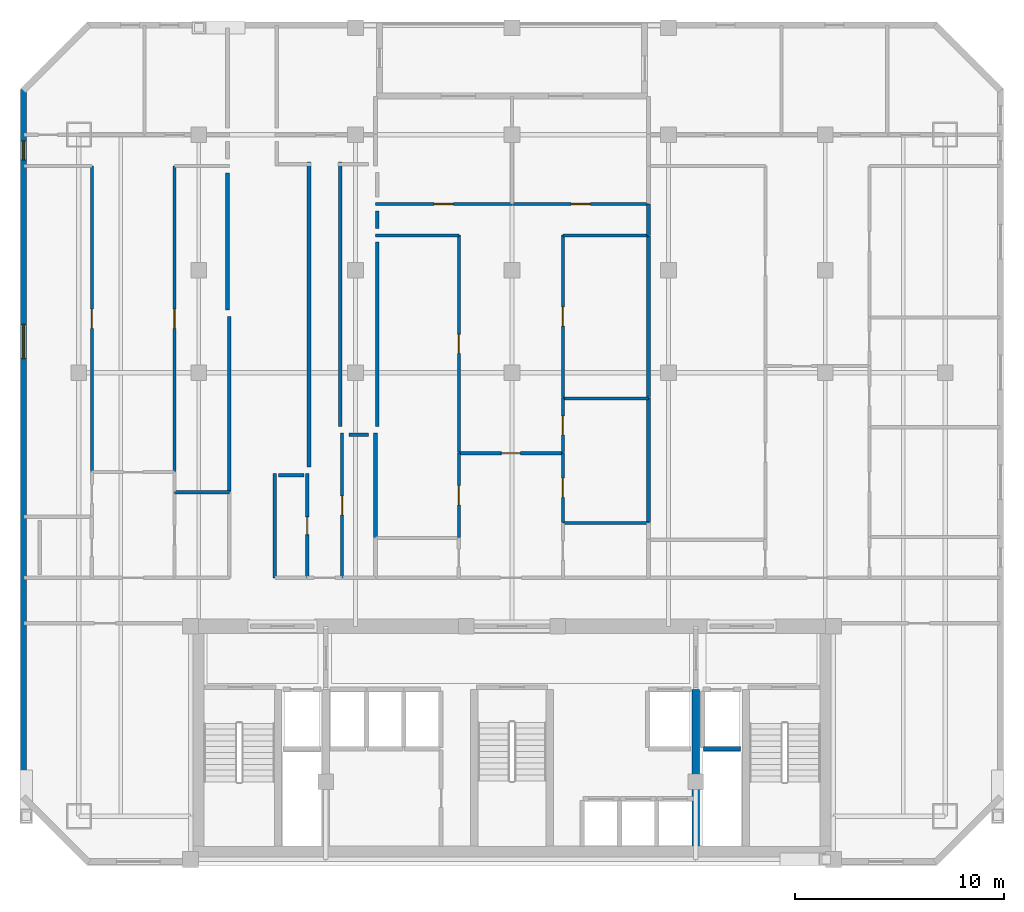
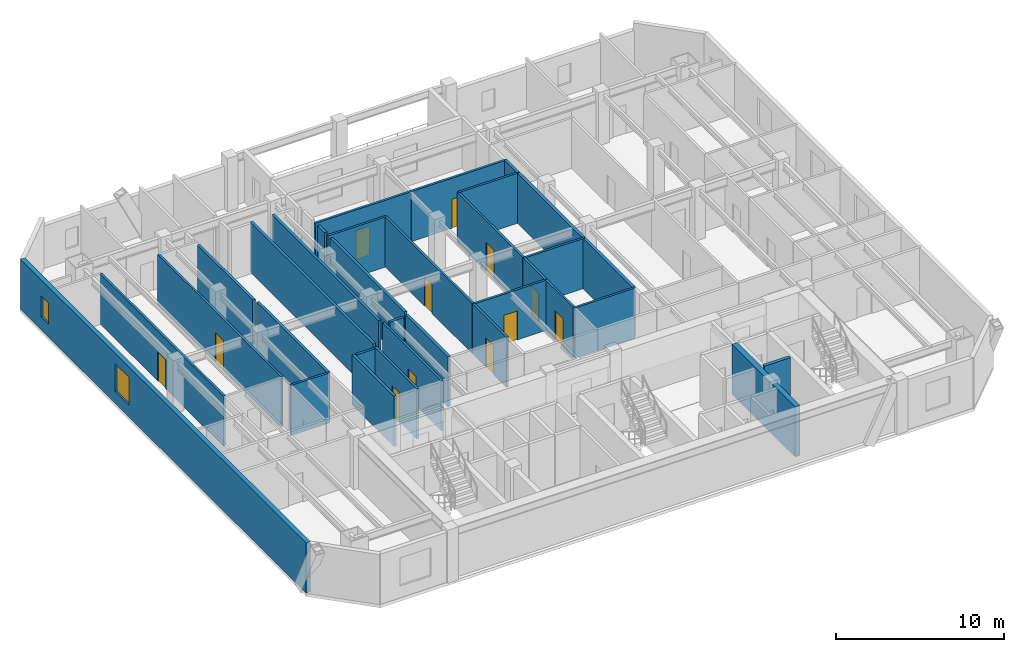
# One storey, part 4 of 8: 33 walls, 12 doors, 2 windows, 14 openings.
"""IFC4 building model written with IfcOpenShell, lengths in metres."""

import ifcopenshell
import ifcopenshell.guid

model = None  # the IFC model being written
_history = None  # IfcOwnerHistory: only IFC2X3 demands one
_inside = {}  # id of a spatial element -> (the spatial element, [elements in it])
_under = {}  # id of a project, library or spatial element -> (it, [spatial elements below it])
_declared = {}  # id of a project -> (the project, [libraries it declares])
_typed = {}  # id of a type object -> (the type object, [elements of that type])
_made_of = {}  # id of a material, layer set ... -> (it, [elements and type objects made of it])


def new_model(schema):
    """Start an empty IFC model of exactly this schema.

    Asked for "IFC4X3", IfcOpenShell would pick the latest addendum, in which some entities
    have other attributes; the version numbers below select the first issue.
    IFC2X3 requires an IfcOwnerHistory on every rooted entity: one is made here for all.
    """
    global model, _history
    if schema == "IFC4X3":
        model = ifcopenshell.file(schema_version=(4, 3, 0, 0))
    else:
        model = ifcopenshell.file(schema=schema)
    _inside.clear()
    _under.clear()
    _declared.clear()
    _typed.clear()
    _made_of.clear()
    _history = None
    if model.schema == "IFC2X3":
        org = make("IfcOrganization", Name="unknown")
        user = make(
            "IfcPersonAndOrganization",
            ThePerson=make("IfcPerson", FamilyName="unknown"),
            TheOrganization=org,
        )
        app = make(
            "IfcApplication",
            ApplicationDeveloper=org,
            Version="unknown",
            ApplicationFullName="unknown",
            ApplicationIdentifier="unknown",
        )
        _history = make(
            "IfcOwnerHistory",
            OwningUser=user,
            OwningApplication=app,
            ChangeAction="ADDED",
            CreationDate=0,
        )
    return model


def make(cls, **values):
    """One entity of the class cls with the attributes given. An attribute that is None is left unset."""
    return model.create_entity(
        cls, **{name: value for name, value in values.items() if value is not None}
    )


def rooted(cls, **values):
    """An entity with a GlobalId (a new one), such as an element, a storey or a relation."""
    return make(cls, GlobalId=ifcopenshell.guid.new(), OwnerHistory=_history, **values)


def si_unit(unit_type, name, prefix=None):
    """IfcSIUnit, for example si_unit("LENGTHUNIT", "METRE", prefix="MILLI")."""
    return make("IfcSIUnit", UnitType=unit_type, Prefix=prefix, Name=name)


def assignment(units):
    """IfcUnitAssignment: the units of a project."""
    return None if units is None else make("IfcUnitAssignment", Units=units)


def point(xyz):
    """IfcCartesianPoint."""
    return None if xyz is None else make("IfcCartesianPoint", Coordinates=xyz)


def direction(xyz):
    """IfcDirection."""
    return None if xyz is None else make("IfcDirection", DirectionRatios=xyz)


def frame(location, z_axis=None, x_axis=None):
    """IfcAxis2Placement3D, a coordinate frame: its origin and axes. An axis left out is left unset."""
    return make(
        "IfcAxis2Placement3D",
        Location=point(location),
        Axis=direction(z_axis),
        RefDirection=direction(x_axis),
    )


def frame_2d(location, x_axis=None):
    """IfcAxis2Placement2D, a coordinate frame in the plane: its origin and x axis."""
    return make(
        "IfcAxis2Placement2D", Location=point(location), RefDirection=direction(x_axis)
    )


def origin():
    """The frame at (0, 0, 0) with its axes left unset."""
    return frame((0.0, 0.0, 0.0))


def place(relative_to, where):
    """IfcLocalPlacement: puts the frame where relative to a parent placement (None: the world)."""
    return make(
        "IfcLocalPlacement", PlacementRelTo=relative_to, RelativePlacement=where
    )


def context(
    kind, dimensions, precision=None, world=None, true_north=None, identifier=None
):
    """IfcGeometricRepresentationContext, for example the 3D "Model" context."""
    return make(
        "IfcGeometricRepresentationContext",
        ContextIdentifier=identifier,
        ContextType=kind,
        CoordinateSpaceDimension=dimensions,
        Precision=precision,
        WorldCoordinateSystem=world,
        TrueNorth=true_north,
    )


def subcontext(parent, identifier, kind, view, scale=None):
    """IfcGeometricRepresentationSubContext, for example "Body" below "Model"."""
    return make(
        "IfcGeometricRepresentationSubContext",
        ContextIdentifier=identifier,
        ContextType=kind,
        ParentContext=parent,
        TargetScale=scale,
        TargetView=view,
    )


def project(units=None, contexts=None):
    """IfcProject with its units and contexts."""
    return rooted(
        "IfcProject",
        Name="project",
        RepresentationContexts=contexts,
        UnitsInContext=assignment(units),
    )


def spatial(cls, under=None, at=None, **own):
    """A site, building, storey or space (cls), placed at a placement, below another one or the project."""
    s = rooted(cls, ObjectPlacement=at, **own)
    if under is not None:
        _under.setdefault(under.id(), (under, []))[1].append(s)
    return s


def profile(cls, at=None, kind="AREA", **sizes):
    """A parametric profile (cls). Its sizes go by their IFC names, for example OverallWidth=200.0."""
    return make(cls, ProfileType=kind, Position=at, **sizes)


def rectangle(**sizes):
    """IfcRectangleProfileDef."""
    return profile("IfcRectangleProfileDef", **sizes)


def extrude(swept, where, along, depth):
    """IfcExtrudedAreaSolid: the profile swept, set in the frame where, extruded along a direction by depth."""
    return make(
        "IfcExtrudedAreaSolid",
        SweptArea=swept,
        Position=where,
        ExtrudedDirection=direction(along),
        Depth=depth,
    )


def shape(context_of_items, identifier, shape_type, items):
    """IfcShapeRepresentation: the items that make up one representation, for example the "Body"."""
    return make(
        "IfcShapeRepresentation",
        ContextOfItems=context_of_items,
        RepresentationIdentifier=identifier,
        RepresentationType=shape_type,
        Items=items,
    )


def material(Name=None, Category=None):
    """IfcMaterial."""
    return make("IfcMaterial", Name=Name, Category=Category)


def layer(
    of_material, thickness, ventilated=None, Name=None, Category=None, Priority=None
):
    """IfcMaterialLayer: one layer of a wall or slab, of a material (None: an air gap)."""
    return make(
        "IfcMaterialLayer",
        Material=of_material,
        LayerThickness=thickness,
        IsVentilated=ventilated,
        Name=Name,
        Category=Category,
        Priority=Priority,
    )


def layer_set(layers, Name=None):
    """IfcMaterialLayerSet."""
    return make("IfcMaterialLayerSet", MaterialLayers=layers, LayerSetName=Name)


def made_of(thing, what):
    """Note that an element or type object is made of a material, layer set ...; save() writes the relation."""
    if what is not None:
        _made_of.setdefault(what.id(), (what, []))[1].append(thing)
    return thing


def type_object(cls, material=None, **own):
    """A type object (cls), such as IfcWallType, which elements share."""
    return made_of(rooted(cls, **own), material)


def element(
    cls,
    number,
    at=None,
    inside=None,
    cuts=None,
    type_object=None,
    material=None,
    context=None,
    identifier="Body",
    shape_type=None,
    held_by="IfcProductDefinitionShape",
    body=None,
    shapes=None,
    **own,
):
    """One element of the class cls, such as IfcWall. Its Tag is "e" and its number.

    at: its placement. inside: the storey or other place that contains it. cuts: it is an
    opening in that element (IfcRelVoidsElement). A single representation is given by context,
    identifier, shape_type and body (its items); several are given by shapes. held_by: the class
    of the entity that holds the representations. save() writes the other relations.
    """
    e = rooted(cls, Tag="e%d" % number, ObjectPlacement=at, **own)
    if body is not None:
        shapes = [shape(context, identifier, shape_type, body)]
    if shapes is not None:
        e.Representation = make(held_by, Representations=shapes)
    if inside is not None:
        _inside.setdefault(inside.id(), (inside, []))[1].append(e)
    if cuts is not None:
        rooted(
            "IfcRelVoidsElement", RelatingBuildingElement=cuts, RelatedOpeningElement=e
        )
    if type_object is not None:
        _typed.setdefault(type_object.id(), (type_object, []))[1].append(e)
    return made_of(e, material)


def fill(opening, filler):
    """IfcRelFillsElement: the door or window that sits in an opening."""
    return rooted(
        "IfcRelFillsElement",
        RelatingOpeningElement=opening,
        RelatedBuildingElement=filler,
    )


def aggregate(whole, parts):
    """IfcRelAggregates: a whole, such as a stair, and the parts it consists of."""
    return rooted("IfcRelAggregates", RelatingObject=whole, RelatedObjects=parts)


def save(model, path):
    """Write the relations noted so far, then the file.

    IfcRelAggregates (storeys below a building ...), IfcRelContainedInSpatialStructure (elements
    in a storey), IfcRelDefinesByType, IfcRelAssociatesMaterial and IfcRelDeclares: one each for
    every whole, place, type object, material and project.
    """
    for whole, parts in _under.values():
        aggregate(whole, parts)
    for where, things in _inside.values():
        rooted(
            "IfcRelContainedInSpatialStructure",
            RelatedElements=things,
            RelatingStructure=where,
        )
    for kind, things in _typed.values():
        rooted("IfcRelDefinesByType", RelatedObjects=things, RelatingType=kind)
    for what, things in _made_of.values():
        rooted("IfcRelAssociatesMaterial", RelatedObjects=things, RelatingMaterial=what)
    for by, libraries in _declared.values():
        rooted("IfcRelDeclares", RelatingContext=by, RelatedDefinitions=libraries)
    model.write(path)


model = new_model("IFC4")

# Units and contexts
model_context = context("Model", 3, precision=1e-05, world=origin(), true_north=direction((0.0, 1.0)))
body_context = subcontext(model_context, "Body", "Model", "MODEL_VIEW")
ifc_project = project(units=[si_unit("LENGTHUNIT", "METRE"), si_unit("AREAUNIT", "SQUARE_METRE"), si_unit("VOLUMEUNIT", "CUBIC_METRE"), si_unit("PLANEANGLEUNIT", "RADIAN"), si_unit("MASSUNIT", "GRAM", prefix="KILO")], contexts=[model_context])

# Site, building, storey
site_placement = place(None, origin())
site = spatial("IfcSite", under=ifc_project, at=site_placement, CompositionType="ELEMENT")
building_placement = place(site_placement, origin())
building = spatial("IfcBuilding", under=site, at=building_placement, Name="Ventersveld Concourse Tower", CompositionType="ELEMENT")
storey_placement = place(building_placement, frame((0.0, 0.0, 183.699951171875)))
storey = spatial("IfcBuildingStorey", under=building, at=storey_placement, Name="L45", CompositionType="ELEMENT", Elevation=183.699951171875)

# Walls
ifc_material_1 = material(Name="Concrete C60/75", Category="concrete")
ifc_layer_1 = layer(ifc_material_1, 0.35009765625)
ifc_layer_set_1 = layer_set([ifc_layer_1], Name="Concrete C60/75")
wall_type_1 = type_object("IfcWallType", Name="WL-CORE-350L", PredefinedType="SHEAR", material=ifc_layer_set_1)
wall_1_placement = place(storey_placement, frame((37.550048828125, 0.919921875, 0.0), z_axis=(0.0, 0.0, 1.0), x_axis=(0.0, 1.0, 0.0)))
element("IfcWall", 1, at=wall_1_placement, inside=storey, type_object=wall_type_1, Name="L45 Core Internal Shear Web W-SVL-W", PredefinedType="SHEAR", context=body_context, shape_type="SweptSolid", body=[
    extrude(rectangle(XDim=7.5, YDim=0.35009765625, at=frame_2d((3.75, 0.0))), origin(), (0.0, 0.0, 1.0), 3.630126953125),
])
ifc_material_2 = material(Name="Fire-rated autoclaved aerated masonry blockwork", Category="masonry")
ifc_layer_2 = layer(ifc_material_2, 0.179931640625)
ifc_layer_set_2 = layer_set([ifc_layer_2], Name="Fire-rated autoclaved aerated masonry blockwork")
wall_type_2 = type_object("IfcWallType", Name="WL-CORR-180", PredefinedType="PARTITIONING", material=ifc_layer_set_2)
wall_2_placement = place(storey_placement, frame((15.2099609375, 17.905517578125, 0.0), z_axis=(0.0, 0.0, 1.0), x_axis=(0.0, 1.0, 0.0)))
element("IfcWall", 2, at=wall_2_placement, inside=storey, type_object=wall_type_2, Name="L45 Interior Partition SP-L45-COR-SP-L45-45NW-DENR", PredefinedType="PARTITIONING", context=body_context, shape_type="SweptSolid", body=[
    extrude(rectangle(XDim=8.389404296875, YDim=0.179931640625, at=frame_2d((4.19482421875, 0.0))), origin(), (0.0, 0.0, 1.0), 3.630126953125),
])
wall_3_placement = place(storey_placement, frame((17.389892578125, 13.764892578125, 0.0), z_axis=(0.0, 0.0, 1.0), x_axis=(0.0, 1.0, 0.0)))
element("IfcWall", 3, at=wall_3_placement, inside=storey, type_object=wall_type_2, Name="L45 Interior Partition SP-L45-COR-SP-L45-45CW-BATH", PredefinedType="PARTITIONING", context=body_context, shape_type="SweptSolid", body=[
    extrude(rectangle(XDim=5.007568359375, YDim=0.179931640625, at=frame_2d((2.50390625, 0.0))), origin(), (0.0, 0.0, 1.0), 3.630126953125),
])
wall_4_placement = place(storey_placement, frame((15.1201171875, 33.175048828125, 0.0), z_axis=(0.0, 0.0, 1.0), x_axis=(0.0, -1.0, 0.0)))
element("IfcWall", 4, at=wall_4_placement, inside=storey, type_object=wall_type_2, Name="L45 Room Enclosure Wall SP-L45-45NW-DENR", PredefinedType="PARTITIONING", context=body_context, shape_type="SweptSolid", body=[
    extrude(rectangle(XDim=6.565185546875, YDim=0.179931640625, at=frame_2d((3.28271484375, 0.0))), origin(), (0.0, 0.0, 1.0), 3.630126953125),
])
wall_5_placement = place(storey_placement, frame((19.030029296875, 19.08740234375, 0.0), z_axis=(0.0, 0.0, 1.0), x_axis=(0.0, 1.0, 0.0)))
element("IfcWall", 5, at=wall_5_placement, inside=storey, type_object=wall_type_2, Name="L45 Room Enclosure Wall SP-L45-45CW-LIV", PredefinedType="PARTITIONING", context=body_context, shape_type="SweptSolid", body=[
    extrude(rectangle(XDim=14.59765625, YDim=0.179931640625, at=frame_2d((7.298828125, 0.0))), origin(), (0.0, 0.0, 1.0), 3.630126953125),
])
wall_6_placement = place(storey_placement, frame((20.52001953125, 33.68505859375, 0.0), z_axis=(0.0, 0.0, 1.0), x_axis=(0.0, -1.0, 0.0)))
element("IfcWall", 6, at=wall_6_placement, inside=storey, type_object=wall_type_2, Name="L45 Room Enclosure Wall SP-L45-45CW-LIV", PredefinedType="PARTITIONING", context=body_context, shape_type="SweptSolid", body=[
    extrude(rectangle(XDim=12.654541015625, YDim=0.179931640625, at=frame_2d((6.3271484375, 0.0))), origin(), (0.0, 0.0, 1.0), 3.630126953125),
])
wall_7_placement = place(storey_placement, frame((20.93505859375, 20.62060546875, 0.0), z_axis=(0.0, 0.0, 1.0), x_axis=(1.0, 0.0, 0.0)))
element("IfcWall", 7, at=wall_7_placement, inside=storey, type_object=wall_type_2, Name="L45 Room Enclosure Wall SP-L45-45CW-KIT", PredefinedType="PARTITIONING", context=body_context, shape_type="SweptSolid", body=[
    extrude(rectangle(XDim=0.949951171875, YDim=0.179931640625, at=frame_2d((0.47509765625, 0.0))), origin(), (0.0, 0.0, 1.0), 3.630126953125),
])
wall_8_placement = place(storey_placement, frame((22.300048828125, 30.5048828125, 0.0), z_axis=(0.0, 0.0, 1.0), x_axis=(0.0, 1.0, 0.0)))
element("IfcWall", 8, at=wall_8_placement, inside=storey, type_object=wall_type_2, Name="L45 Room Enclosure Wall SP-L45-45CM-LIV", PredefinedType="PARTITIONING", context=body_context, shape_type="SweptSolid", body=[
    extrude(rectangle(XDim=0.85009765625, YDim=0.179931640625, at=frame_2d((0.425048828125, 0.0))), origin(), (0.0, 0.0, 1.0), 3.630126953125),
])
wall_9_placement = place(storey_placement, frame((22.300048828125, 21.030517578125, 0.0), z_axis=(0.0, 0.0, 1.0), x_axis=(0.0, 1.0, 0.0)))
element("IfcWall", 9, at=wall_9_placement, inside=storey, type_object=wall_type_2, Name="L45 Room Enclosure Wall SP-L45-45CM-DENL", PredefinedType="PARTITIONING", context=body_context, shape_type="SweptSolid", body=[
    extrude(rectangle(XDim=8.824462890625, YDim=0.179931640625, at=frame_2d((4.412109375, 0.0))), origin(), (0.0, 0.0, 1.0), 3.630126953125),
])
ifc_layer_3 = layer(ifc_material_2, 0.199951171875)
ifc_layer_set_3 = layer_set([ifc_layer_3], Name="Fire-rated autoclaved aerated masonry blockwork")
wall_type_3 = type_object("IfcWallType", Name="WL-DEMISE-200", PredefinedType="PARTITIONING", material=ifc_layer_set_3)
wall_10_placement = place(storey_placement, frame((22.2099609375, 15.71435546875, 0.0), z_axis=(0.0, 0.0, 1.0), x_axis=(0.0, 1.0, 0.0)))
element("IfcWall", 10, at=wall_10_placement, inside=storey, type_object=wall_type_3, Name="L45 Interior Partition SP-L45-45CW-KIT-SP-L45-45CM-DENL", PredefinedType="PARTITIONING", context=body_context, shape_type="SweptSolid", body=[
    extrude(rectangle(XDim=5.001220703125, YDim=0.199951171875, at=frame_2d((2.50048828125, 0.0))), origin(), (0.0, 0.0, 1.0), 3.630126953125),
])
wall_11_placement = place(storey_placement, frame((35.2900390625, 30.175048828125, 0.0), z_axis=(0.0, 0.0, 1.0), x_axis=(0.0, 1.0, 0.0)))
element("IfcWall", 11, at=wall_11_placement, inside=storey, type_object=wall_type_3, Name="L45 Interior Partition SP-L45-45CE-MEDL0-SP-L45-45CM-LIV", PredefinedType="PARTITIONING", context=body_context, shape_type="SweptSolid", body=[
    extrude(rectangle(XDim=1.510009765625, YDim=0.199951171875, at=frame_2d((0.7548828125, 0.0))), origin(), (0.0, 0.0, 1.0), 3.630126953125),
])
wall_12_placement = place(storey_placement, frame((35.2900390625, 16.431640625, 0.0), z_axis=(0.0, 0.0, 1.0), x_axis=(0.0, 1.0, 0.0)))
element("IfcWall", 12, at=wall_12_placement, inside=storey, type_object=wall_type_3, Name="L45 Interior Partition SP-L45-45CE-MEDL0-SP-L45-45CM-DENR", PredefinedType="PARTITIONING", context=body_context, shape_type="SweptSolid", body=[
    extrude(rectangle(XDim=5.943359375, YDim=0.199951171875, at=frame_2d((2.9716796875, 0.0))), origin(), (0.0, 0.0, 1.0), 3.630126953125),
])
wall_13_placement = place(storey_placement, frame((35.2900390625, 22.405029296875, 0.0), z_axis=(0.0, 0.0, 1.0), x_axis=(0.0, 1.0, 0.0)))
element("IfcWall", 13, at=wall_13_placement, inside=storey, type_object=wall_type_3, Name="L45 Interior Partition SP-L45-45CE-MEDL0-SP-L45-45CM-DENS", PredefinedType="PARTITIONING", context=body_context, shape_type="SweptSolid", body=[
    extrude(rectangle(XDim=7.739990234375, YDim=0.199951171875, at=frame_2d((3.8701171875, 0.0))), origin(), (0.0, 0.0, 1.0), 3.630126953125),
])
ifc_layer_4 = layer(ifc_material_2, 0.219970703125)
ifc_layer_set_4 = layer_set([ifc_layer_4], Name="Fire-rated autoclaved aerated masonry blockwork")
wall_type_4 = type_object("IfcWallType", Name="WL-HOIST-220", PredefinedType="SOLIDWALL", material=ifc_layer_set_4)
wall_14_placement = place(storey_placement, frame((37.919921875, 5.590087890625, 0.0), z_axis=(0.0, 0.0, 1.0), x_axis=(1.0, 0.0, 0.0)))
element("IfcWall", 14, at=wall_14_placement, inside=storey, type_object=wall_type_4, Name="L45 Lift Hoistway Back Wall FFL-02", PredefinedType="SOLIDWALL", context=body_context, shape_type="SweptSolid", body=[
    extrude(rectangle(XDim=1.780029296875, YDim=0.219970703125, at=frame_2d((0.89013671875, 0.0))), origin(), (0.0, 0.0, 1.0), 3.630126953125),
])

# Wall, opening, door
ifc_material_3 = material(Name="Autoclaved aerated masonry blockwork", Category="masonry")
ifc_layer_5 = layer(ifc_material_3, 0.14990234375)
ifc_layer_set_5 = layer_set([ifc_layer_5], Name="Autoclaved aerated masonry blockwork")
wall_type_5 = type_object("IfcWallType", Name="WL-INT-150", PredefinedType="PARTITIONING", material=ifc_layer_set_5)
wall_15_placement = place(storey_placement, frame((8.621337890625, 18.868408203125, 0.0), z_axis=(0.0, 0.0, 1.0), x_axis=(0.0, 1.0, 0.0)))
wall_15 = element("IfcWall", 15, at=wall_15_placement, inside=storey, type_object=wall_type_5, Name="L45 Interior Partition SP-L45-45NW-LIV-SP-L45-45NW-MEDL0", PredefinedType="PARTITIONING", context=body_context, shape_type="SweptSolid", body=[
    extrude(rectangle(XDim=14.636474609375, YDim=0.14990234375, at=frame_2d((7.318359375, 0.0))), origin(), (0.0, 0.0, 1.0), 3.630126953125),
])
opening_1_placement = place(wall_15_placement, frame((6.8583984375, 0.0, 0.0)))
opening_1 = element("IfcOpeningElement", 16, at=opening_1_placement, cuts=wall_15, Name="Opening ID1", PredefinedType="OPENING", context=body_context, shape_type="SweptSolid", body=[
    extrude(rectangle(XDim=0.919921875, YDim=2.10009765625, at=frame_2d((0.4599609375, 1.050048828125))), frame((0.0, 0.0849609375, 0.0), z_axis=(0.0, -1.0, 0.0), x_axis=(1.0, 0.0, 0.0)), (0.0, 0.0, 1.0), 0.169921875),
])
ifc_material_4 = material(Name="Solid-core hardwood veneer timber", Category="wood")
door_type_1 = type_object("IfcDoorType", Name="DR-ROOM-092", OperationType="NOTDEFINED", PredefinedType="DOOR", material=ifc_material_4)
door_1_placement = place(opening_1_placement, origin())
door_1 = element("IfcDoor", 17, at=door_1_placement, inside=storey, type_object=door_type_1, Name="L45 Interior Door SP-L45-45NW-LIV to SP-L45-45NW-MEDL0 (D-L45-2212)", OperationType="SINGLE_SWING_RIGHT", OverallHeight=2.10009765625, OverallWidth=0.919921875, PredefinedType="DOOR", context=body_context, shape_type="SweptSolid", body=[
    extrude(rectangle(XDim=0.919921875, YDim=2.10009765625, at=frame_2d((0.4599609375, 1.050048828125))), frame((0.0, 0.02490234375, 0.0), z_axis=(0.0, -1.0, 0.0), x_axis=(1.0, 0.0, 0.0)), (0.0, 0.0, 1.0), 0.050048828125),
])
fill(opening_1, door_1)

wall_16_placement = place(storey_placement, frame((12.581298828125, 18.868408203125, 0.0), z_axis=(0.0, 0.0, 1.0), x_axis=(0.0, 1.0, 0.0)))
wall_16 = element("IfcWall", 18, at=wall_16_placement, inside=storey, type_object=wall_type_5, Name="L45 Interior Partition SP-L45-45NW-LIV-SP-L45-45NW-DENR", PredefinedType="PARTITIONING", context=body_context, shape_type="SweptSolid", body=[
    extrude(rectangle(XDim=14.636474609375, YDim=0.14990234375, at=frame_2d((7.318359375, 0.0))), origin(), (0.0, 0.0, 1.0), 3.630126953125),
])
opening_2_placement = place(wall_16_placement, frame((6.8583984375, 0.0, 0.0)))
opening_2 = element("IfcOpeningElement", 19, at=opening_2_placement, cuts=wall_16, Name="Opening ID1", PredefinedType="OPENING", context=body_context, shape_type="SweptSolid", body=[
    extrude(rectangle(XDim=0.919921875, YDim=2.10009765625, at=frame_2d((0.4599609375, 1.050048828125))), frame((0.0, 0.0849609375, 0.0), z_axis=(0.0, -1.0, 0.0), x_axis=(1.0, 0.0, 0.0)), (0.0, 0.0, 1.0), 0.169921875),
])
door_2_placement = place(opening_2_placement, origin())
door_2 = element("IfcDoor", 20, at=door_2_placement, inside=storey, type_object=door_type_1, Name="L45 Interior Door SP-L45-45NW-LIV to SP-L45-45NW-DENR (D-L45-2213)", OperationType="SINGLE_SWING_LEFT", OverallHeight=2.10009765625, OverallWidth=0.919921875, PredefinedType="DOOR", context=body_context, shape_type="SweptSolid", body=[
    extrude(rectangle(XDim=0.919921875, YDim=2.10009765625, at=frame_2d((0.4599609375, 1.050048828125))), frame((0.0, 0.02490234375, 0.0), z_axis=(0.0, -1.0, 0.0), x_axis=(1.0, 0.0, 0.0)), (0.0, 0.0, 1.0), 0.050048828125),
])
fill(opening_2, door_2)

# Wall
wall_17_placement = place(storey_placement, frame((12.576416015625, 17.870361328125, 0.0), z_axis=(0.0, 0.0, 1.0), x_axis=(1.0, 0.0, 0.0)))
element("IfcWall", 21, at=wall_17_placement, inside=storey, type_object=wall_type_5, Name="L45 Interior Partition SP-L45-45NW-KIT-SP-L45-45NW-DENR", PredefinedType="PARTITIONING", context=body_context, shape_type="SweptSolid", body=[
    extrude(rectangle(XDim=2.638671875, YDim=0.14990234375, at=frame_2d((1.3193359375, 0.0))), origin(), (0.0, 0.0, 1.0), 3.630126953125),
])

# Wall, opening, door
wall_18_placement = place(storey_placement, frame((20.610107421875, 13.764892578125, 0.0), z_axis=(0.0, 0.0, 1.0), x_axis=(0.0, 1.0, 0.0)))
wall_18 = element("IfcWall", 22, at=wall_18_placement, inside=storey, type_object=wall_type_5, Name="L45 Interior Partition SP-L45-45CW-LIV-SP-L45-45CW-KIT", PredefinedType="PARTITIONING", context=body_context, shape_type="SweptSolid", body=[
    extrude(rectangle(XDim=6.95068359375, YDim=0.14990234375, at=frame_2d((3.475341796875, 0.0))), origin(), (0.0, 0.0, 1.0), 3.630126953125),
])
opening_3_placement = place(wall_18_placement, frame((3.015380859375, 0.0, 0.0)))
opening_3 = element("IfcOpeningElement", 23, at=opening_3_placement, cuts=wall_18, Name="Opening ID1", PredefinedType="OPENING", context=body_context, shape_type="SweptSolid", body=[
    extrude(rectangle(XDim=0.919921875, YDim=2.10009765625, at=frame_2d((0.4599609375, 1.050048828125))), frame((0.0, 0.0849609375, 0.0), z_axis=(0.0, -1.0, 0.0), x_axis=(1.0, 0.0, 0.0)), (0.0, 0.0, 1.0), 0.169921875),
])
door_3_placement = place(opening_3_placement, origin())
door_3 = element("IfcDoor", 24, at=door_3_placement, inside=storey, type_object=door_type_1, Name="L45 Interior Door SP-L45-45CW-LIV to SP-L45-45CW-KIT (D-L45-2217)", OperationType="SINGLE_SWING_LEFT", OverallHeight=2.10009765625, OverallWidth=0.919921875, PredefinedType="DOOR", context=body_context, shape_type="SweptSolid", body=[
    extrude(rectangle(XDim=0.919921875, YDim=2.10009765625, at=frame_2d((0.4599609375, 1.050048828125))), frame((0.0, 0.02490234375, 0.0), z_axis=(0.0, -1.0, 0.0), x_axis=(1.0, 0.0, 0.0)), (0.0, 0.0, 1.0), 0.050048828125),
])
fill(opening_3, door_3)

wall_19_placement = place(storey_placement, frame((26.201416015625, 19.74072265625, 0.0), z_axis=(0.0, 0.0, 1.0), x_axis=(1.0, 0.0, 0.0)))
wall_19 = element("IfcWall", 25, at=wall_19_placement, inside=storey, type_object=wall_type_5, Name="L45 Interior Partition SP-L45-45CM-FOY-SP-L45-45CM-LIV", PredefinedType="PARTITIONING", context=body_context, shape_type="SweptSolid", body=[
    extrude(rectangle(XDim=4.989990234375, YDim=0.14990234375, at=frame_2d((2.4951171875, 0.0))), origin(), (0.0, 0.0, 1.0), 3.630126953125),
])
opening_4_placement = place(wall_19_placement, frame((2.034912109375, 0.0, 0.0)))
opening_4 = element("IfcOpeningElement", 26, at=opening_4_placement, cuts=wall_19, Name="Opening ID1", PredefinedType="OPENING", context=body_context, shape_type="SweptSolid", body=[
    extrude(rectangle(XDim=0.919921875, YDim=2.10009765625, at=frame_2d((0.4599609375, 1.050048828125))), frame((0.0, 0.0849609375, 0.0), z_axis=(0.0, -1.0, 0.0), x_axis=(1.0, 0.0, 0.0)), (0.0, 0.0, 1.0), 0.169921875),
])
door_4_placement = place(opening_4_placement, origin())
door_4 = element("IfcDoor", 27, at=door_4_placement, inside=storey, type_object=door_type_1, Name="L45 Interior Door SP-L45-45CM-FOY to SP-L45-45CM-LIV (D-L45-2231)", OperationType="SINGLE_SWING_LEFT", OverallHeight=2.10009765625, OverallWidth=0.919921875, PredefinedType="DOOR", context=body_context, shape_type="SweptSolid", body=[
    extrude(rectangle(XDim=0.919921875, YDim=2.10009765625, at=frame_2d((0.4599609375, 1.050048828125))), frame((0.0, 0.02490234375, 0.0), z_axis=(0.0, -1.0, 0.0), x_axis=(1.0, 0.0, 0.0)), (0.0, 0.0, 1.0), 0.050048828125),
])
fill(opening_4, door_4)

wall_20_placement = place(storey_placement, frame((26.206298828125, 15.71435546875, 0.0), z_axis=(0.0, 0.0, 1.0), x_axis=(0.0, 1.0, 0.0)))
wall_20 = element("IfcWall", 28, at=wall_20_placement, inside=storey, type_object=wall_type_5, Name="L45 Interior Partition SP-L45-45CM-FOY-SP-L45-45CM-DENL", PredefinedType="PARTITIONING", context=body_context, shape_type="SweptSolid", body=[
    extrude(rectangle(XDim=4.031494140625, YDim=0.14990234375, at=frame_2d((2.015625, 0.0))), origin(), (0.0, 0.0, 1.0), 3.630126953125),
])
opening_5_placement = place(wall_20_placement, frame((1.5556640625, 0.0, 0.0)))
opening_5 = element("IfcOpeningElement", 29, at=opening_5_placement, cuts=wall_20, Name="Opening ID1", PredefinedType="OPENING", context=body_context, shape_type="SweptSolid", body=[
    extrude(rectangle(XDim=0.919921875, YDim=2.10009765625, at=frame_2d((0.4599609375, 1.050048828125))), frame((0.0, 0.0849609375, 0.0), z_axis=(0.0, -1.0, 0.0), x_axis=(1.0, 0.0, 0.0)), (0.0, 0.0, 1.0), 0.169921875),
])
door_5_placement = place(opening_5_placement, origin())
door_5 = element("IfcDoor", 30, at=door_5_placement, inside=storey, type_object=door_type_1, Name="L45 Interior Door SP-L45-45CM-FOY to SP-L45-45CM-DENL (D-L45-2233)", OperationType="SINGLE_SWING_LEFT", OverallHeight=2.10009765625, OverallWidth=0.919921875, PredefinedType="DOOR", context=body_context, shape_type="SweptSolid", body=[
    extrude(rectangle(XDim=0.919921875, YDim=2.10009765625, at=frame_2d((0.4599609375, 1.050048828125))), frame((0.0, 0.02490234375, 0.0), z_axis=(0.0, -1.0, 0.0), x_axis=(1.0, 0.0, 0.0)), (0.0, 0.0, 1.0), 0.050048828125),
])
fill(opening_5, door_5)

wall_21_placement = place(storey_placement, frame((31.186279296875, 16.431640625, 0.0), z_axis=(0.0, 0.0, 1.0), x_axis=(0.0, 1.0, 0.0)))
wall_21 = element("IfcWall", 31, at=wall_21_placement, inside=storey, type_object=wall_type_5, Name="L45 Interior Partition SP-L45-45CM-FOY-SP-L45-45CM-DENR", PredefinedType="PARTITIONING", context=body_context, shape_type="SweptSolid", body=[
    extrude(rectangle(XDim=3.314208984375, YDim=0.14990234375, at=frame_2d((1.6572265625, 0.0))), origin(), (0.0, 0.0, 1.0), 3.630126953125),
])
opening_6_placement = place(wall_21_placement, frame((1.197021484375, 0.0, 0.0)))
opening_6 = element("IfcOpeningElement", 32, at=opening_6_placement, cuts=wall_21, Name="Opening ID1", PredefinedType="OPENING", context=body_context, shape_type="SweptSolid", body=[
    extrude(rectangle(XDim=0.919921875, YDim=2.10009765625, at=frame_2d((0.4599609375, 1.050048828125))), frame((0.0, 0.0849609375, 0.0), z_axis=(0.0, -1.0, 0.0), x_axis=(1.0, 0.0, 0.0)), (0.0, 0.0, 1.0), 0.169921875),
])
door_6_placement = place(opening_6_placement, origin())
door_6 = element("IfcDoor", 33, at=door_6_placement, inside=storey, type_object=door_type_1, Name="L45 Interior Door SP-L45-45CM-FOY to SP-L45-45CM-DENR (D-L45-2235)", OperationType="SINGLE_SWING_LEFT", OverallHeight=2.10009765625, OverallWidth=0.919921875, PredefinedType="DOOR", context=body_context, shape_type="SweptSolid", body=[
    extrude(rectangle(XDim=0.919921875, YDim=2.10009765625, at=frame_2d((0.4599609375, 1.050048828125))), frame((0.0, 0.02490234375, 0.0), z_axis=(0.0, -1.0, 0.0), x_axis=(1.0, 0.0, 0.0)), (0.0, 0.0, 1.0), 0.050048828125),
])
fill(opening_6, door_6)

wall_22_placement = place(storey_placement, frame((26.206298828125, 19.77587890625, 0.0), z_axis=(0.0, 0.0, 1.0), x_axis=(0.0, 1.0, 0.0)))
wall_22 = element("IfcWall", 34, at=wall_22_placement, inside=storey, type_object=wall_type_5, Name="L45 Interior Partition SP-L45-45CM-LIV-SP-L45-45CM-DENL", PredefinedType="PARTITIONING", context=body_context, shape_type="SweptSolid", body=[
    extrude(rectangle(XDim=10.4091796875, YDim=0.14990234375, at=frame_2d((5.20458984375, 0.0))), origin(), (0.0, 0.0, 1.0), 3.630126953125),
])
opening_7_placement = place(wall_22_placement, frame((4.74462890625, 0.0, 0.0)))
opening_7 = element("IfcOpeningElement", 35, at=opening_7_placement, cuts=wall_22, Name="Opening ID1", PredefinedType="OPENING", context=body_context, shape_type="SweptSolid", body=[
    extrude(rectangle(XDim=0.919921875, YDim=2.10009765625, at=frame_2d((0.4599609375, 1.050048828125))), frame((0.0, 0.0849609375, 0.0), z_axis=(0.0, -1.0, 0.0), x_axis=(1.0, 0.0, 0.0)), (0.0, 0.0, 1.0), 0.169921875),
])
door_7_placement = place(opening_7_placement, origin())
door_7 = element("IfcDoor", 36, at=door_7_placement, inside=storey, type_object=door_type_1, Name="L45 Interior Door SP-L45-45CM-LIV to SP-L45-45CM-DENL (D-L45-2236)", OperationType="SINGLE_SWING_RIGHT", OverallHeight=2.10009765625, OverallWidth=0.919921875, PredefinedType="DOOR", context=body_context, shape_type="SweptSolid", body=[
    extrude(rectangle(XDim=0.919921875, YDim=2.10009765625, at=frame_2d((0.4599609375, 1.050048828125))), frame((0.0, 0.02490234375, 0.0), z_axis=(0.0, -1.0, 0.0), x_axis=(1.0, 0.0, 0.0)), (0.0, 0.0, 1.0), 0.050048828125),
])
fill(opening_7, door_7)

# Wall
wall_23_placement = place(storey_placement, frame((22.205078125, 30.179931640625, 0.0), z_axis=(0.0, 0.0, 1.0), x_axis=(1.0, 0.0, 0.0)))
element("IfcWall", 37, at=wall_23_placement, inside=storey, type_object=wall_type_5, Name="L45 Interior Partition SP-L45-45CM-LIV-SP-L45-45CM-DENL", PredefinedType="PARTITIONING", context=body_context, shape_type="SweptSolid", body=[
    extrude(rectangle(XDim=4.006103515625, YDim=0.14990234375, at=frame_2d((2.0029296875, 0.0))), origin(), (0.0, 0.0, 1.0), 3.630126953125),
])

# Wall, opening, door
wall_24_placement = place(storey_placement, frame((31.186279296875, 19.77587890625, 0.0), z_axis=(0.0, 0.0, 1.0), x_axis=(0.0, 1.0, 0.0)))
wall_24 = element("IfcWall", 38, at=wall_24_placement, inside=storey, type_object=wall_type_5, Name="L45 Interior Partition SP-L45-45CM-LIV-SP-L45-45CM-DENR", PredefinedType="PARTITIONING", context=body_context, shape_type="SweptSolid", body=[
    extrude(rectangle(XDim=2.59912109375, YDim=0.14990234375, at=frame_2d((1.299560546875, 0.0))), origin(), (0.0, 0.0, 1.0), 3.630126953125),
])
opening_8_placement = place(wall_24_placement, frame((0.839599609375, 0.0, 0.0)))
opening_8 = element("IfcOpeningElement", 39, at=opening_8_placement, cuts=wall_24, Name="Opening ID1", PredefinedType="OPENING", context=body_context, shape_type="SweptSolid", body=[
    extrude(rectangle(XDim=0.919921875, YDim=2.10009765625, at=frame_2d((0.4599609375, 1.050048828125))), frame((0.0, 0.0849609375, 0.0), z_axis=(0.0, -1.0, 0.0), x_axis=(1.0, 0.0, 0.0)), (0.0, 0.0, 1.0), 0.169921875),
])
door_8_placement = place(opening_8_placement, origin())
door_8 = element("IfcDoor", 40, at=door_8_placement, inside=storey, type_object=door_type_1, Name="L45 Interior Door SP-L45-45CM-LIV to SP-L45-45CM-DENR (D-L45-2237)", OperationType="SINGLE_SWING_LEFT", OverallHeight=2.10009765625, OverallWidth=0.919921875, PredefinedType="DOOR", context=body_context, shape_type="SweptSolid", body=[
    extrude(rectangle(XDim=0.919921875, YDim=2.10009765625, at=frame_2d((0.4599609375, 1.050048828125))), frame((0.0, 0.02490234375, 0.0), z_axis=(0.0, -1.0, 0.0), x_axis=(1.0, 0.0, 0.0)), (0.0, 0.0, 1.0), 0.050048828125),
])
fill(opening_8, door_8)

wall_25_placement = place(storey_placement, frame((31.186279296875, 22.405029296875, 0.0), z_axis=(0.0, 0.0, 1.0), x_axis=(0.0, 1.0, 0.0)))
wall_25 = element("IfcWall", 41, at=wall_25_placement, inside=storey, type_object=wall_type_5, Name="L45 Interior Partition SP-L45-45CM-LIV-SP-L45-45CM-DENS", PredefinedType="PARTITIONING", context=body_context, shape_type="SweptSolid", body=[
    extrude(rectangle(XDim=7.780029296875, YDim=0.14990234375, at=frame_2d((3.89013671875, 0.0))), origin(), (0.0, 0.0, 1.0), 3.630126953125),
])
opening_9_placement = place(wall_25_placement, frame((3.429931640625, 0.0, 0.0)))
opening_9 = element("IfcOpeningElement", 42, at=opening_9_placement, cuts=wall_25, Name="Opening ID1", PredefinedType="OPENING", context=body_context, shape_type="SweptSolid", body=[
    extrude(rectangle(XDim=0.919921875, YDim=2.10009765625, at=frame_2d((0.4599609375, 1.050048828125))), frame((0.0, 0.0849609375, 0.0), z_axis=(0.0, -1.0, 0.0), x_axis=(1.0, 0.0, 0.0)), (0.0, 0.0, 1.0), 0.169921875),
])
door_9_placement = place(opening_9_placement, origin())
door_9 = element("IfcDoor", 43, at=door_9_placement, inside=storey, type_object=door_type_1, Name="L45 Interior Door SP-L45-45CM-LIV to SP-L45-45CM-DENS (D-L45-2238)", OperationType="SINGLE_SWING_RIGHT", OverallHeight=2.10009765625, OverallWidth=0.919921875, PredefinedType="DOOR", context=body_context, shape_type="SweptSolid", body=[
    extrude(rectangle(XDim=0.919921875, YDim=2.10009765625, at=frame_2d((0.4599609375, 1.050048828125))), frame((0.0, 0.02490234375, 0.0), z_axis=(0.0, -1.0, 0.0), x_axis=(1.0, 0.0, 0.0)), (0.0, 0.0, 1.0), 0.050048828125),
])
fill(opening_9, door_9)

# Wall
wall_26_placement = place(storey_placement, frame((31.181396484375, 30.179931640625, 0.0), z_axis=(0.0, 0.0, 1.0), x_axis=(1.0, 0.0, 0.0)))
element("IfcWall", 44, at=wall_26_placement, inside=storey, type_object=wall_type_5, Name="L45 Interior Partition SP-L45-45CM-LIV-SP-L45-45CM-DENS", PredefinedType="PARTITIONING", context=body_context, shape_type="SweptSolid", body=[
    extrude(rectangle(XDim=4.113525390625, YDim=0.14990234375, at=frame_2d((2.056640625, 0.0))), origin(), (0.0, 0.0, 1.0), 3.630126953125),
])

# Wall, opening, door
wall_27_placement = place(storey_placement, frame((22.205078125, 31.679931640625, 0.0), z_axis=(0.0, 0.0, 1.0), x_axis=(1.0, 0.0, 0.0)))
wall_27 = element("IfcWall", 45, at=wall_27_placement, inside=storey, type_object=wall_type_5, Name="L45 Interior Partition SP-L45-45CM-LIV-SP-L45-45CM-BR1", PredefinedType="PARTITIONING", context=body_context, shape_type="SweptSolid", body=[
    extrude(rectangle(XDim=6.5498046875, YDim=0.14990234375, at=frame_2d((3.27490234375, 0.0))), origin(), (0.0, 0.0, 1.0), 3.630126953125),
])
opening_10_placement = place(wall_27_placement, frame((2.81494140625, 0.0, 0.0)))
opening_10 = element("IfcOpeningElement", 46, at=opening_10_placement, cuts=wall_27, Name="Opening ID1", PredefinedType="OPENING", context=body_context, shape_type="SweptSolid", body=[
    extrude(rectangle(XDim=0.919921875, YDim=2.10009765625, at=frame_2d((0.4599609375, 1.050048828125))), frame((0.0, 0.0849609375, 0.0), z_axis=(0.0, -1.0, 0.0), x_axis=(1.0, 0.0, 0.0)), (0.0, 0.0, 1.0), 0.169921875),
])
door_10_placement = place(opening_10_placement, origin())
door_10 = element("IfcDoor", 47, at=door_10_placement, inside=storey, type_object=door_type_1, Name="L45 Interior Door SP-L45-45CM-LIV to SP-L45-45CM-BR1 (D-L45-2239)", OperationType="SINGLE_SWING_LEFT", OverallHeight=2.10009765625, OverallWidth=0.919921875, PredefinedType="DOOR", context=body_context, shape_type="SweptSolid", body=[
    extrude(rectangle(XDim=0.919921875, YDim=2.10009765625, at=frame_2d((0.4599609375, 1.050048828125))), frame((0.0, 0.02490234375, 0.0), z_axis=(0.0, -1.0, 0.0), x_axis=(1.0, 0.0, 0.0)), (0.0, 0.0, 1.0), 0.050048828125),
])
fill(opening_10, door_10)

wall_28_placement = place(storey_placement, frame((28.784912109375, 31.679931640625, 0.0), z_axis=(0.0, 0.0, 1.0), x_axis=(1.0, 0.0, 0.0)))
wall_28 = element("IfcWall", 48, at=wall_28_placement, inside=storey, type_object=wall_type_5, Name="L45 Interior Partition SP-L45-45CM-LIV-SP-L45-45CM-BR2", PredefinedType="PARTITIONING", context=body_context, shape_type="SweptSolid", body=[
    extrude(rectangle(XDim=6.510009765625, YDim=0.14990234375, at=frame_2d((3.2548828125, 0.0))), origin(), (0.0, 0.0, 1.0), 3.630126953125),
])
opening_11_placement = place(wall_28_placement, frame((2.794921875, 0.0, 0.0)))
opening_11 = element("IfcOpeningElement", 49, at=opening_11_placement, cuts=wall_28, Name="Opening ID1", PredefinedType="OPENING", context=body_context, shape_type="SweptSolid", body=[
    extrude(rectangle(XDim=0.919921875, YDim=2.10009765625, at=frame_2d((0.4599609375, 1.050048828125))), frame((0.0, 0.0849609375, 0.0), z_axis=(0.0, -1.0, 0.0), x_axis=(1.0, 0.0, 0.0)), (0.0, 0.0, 1.0), 0.169921875),
])
door_11_placement = place(opening_11_placement, origin())
door_11 = element("IfcDoor", 50, at=door_11_placement, inside=storey, type_object=door_type_1, Name="L45 Interior Door SP-L45-45CM-LIV to SP-L45-45CM-BR2 (D-L45-2240)", OperationType="SINGLE_SWING_RIGHT", OverallHeight=2.10009765625, OverallWidth=0.919921875, PredefinedType="DOOR", context=body_context, shape_type="SweptSolid", body=[
    extrude(rectangle(XDim=0.919921875, YDim=2.10009765625, at=frame_2d((0.4599609375, 1.050048828125))), frame((0.0, 0.02490234375, 0.0), z_axis=(0.0, -1.0, 0.0), x_axis=(1.0, 0.0, 0.0)), (0.0, 0.0, 1.0), 0.050048828125),
])
fill(opening_11, door_11)

# Walls
for number, where, z_axis, x_axis, name in (
    (51, (31.181396484375, 16.396728515625, 0.0), (0.0, 0.0, 1.0), (1.0, 0.0, 0.0), "L45 Interior Partition SP-L45-45CM-KIT-SP-L45-45CM-DENR"),
    (52, (31.181396484375, 22.3701171875, 0.0), (0.0, 0.0, 1.0), (1.0, 0.0, 0.0), "L45 Interior Partition SP-L45-45CM-DENR-SP-L45-45CM-DENS"),
):
    element("IfcWall", number, at=place(storey_placement, frame(where, z_axis=z_axis, x_axis=x_axis)), inside=storey, type_object=wall_type_5, Name=name, PredefinedType="PARTITIONING", context=body_context, shape_type="SweptSolid", body=[
        extrude(rectangle(XDim=4.113525390625, YDim=0.14990234375, at=frame_2d((2.056640625, 0.0))), origin(), (0.0, 0.0, 1.0), 3.630126953125),
    ])

# Wall, openings, windows
ifc_material_5 = material(Name="Precast concrete C45/55", Category="concrete")
ifc_layer_6 = layer(ifc_material_5, 0.300048828125)
ifc_layer_set_6 = layer_set([ifc_layer_6], Name="Precast concrete C45/55")
wall_type_6 = type_object("IfcWallType", Name="WL-PREC-300", PredefinedType="SOLIDWALL", material=ifc_layer_set_6)
wall_29_placement = place(storey_placement, frame((5.35009765625, 37.159912109375, 0.0), z_axis=(0.0, 0.0, 1.0), x_axis=(0.0, -1.0, 0.0)))
wall_29 = element("IfcWall", 53, at=wall_29_placement, inside=storey, type_object=wall_type_6, Name="L45 Highveld Precast Facade Wall E11", PredefinedType="SOLIDWALL", context=body_context, shape_type="SweptSolid", body=[
    extrude(rectangle(XDim=33.919921875, YDim=0.300048828125, at=frame_2d((16.9599609375, 0.0))), origin(), (0.0, 0.0, 1.0), 3.630126953125),
])
opening_12_placement = place(wall_29_placement, frame((2.4599609375, 0.0, 0.949951171875)))
opening_12 = element("IfcOpeningElement", 54, at=opening_12_placement, cuts=wall_29, Name="Opening W4", PredefinedType="OPENING", context=body_context, shape_type="SweptSolid", body=[
    extrude(rectangle(XDim=0.89990234375, YDim=1.5, at=frame_2d((0.449951171875, 0.75))), frame((0.0, 0.16015625, 0.0), z_axis=(0.0, -1.0, 0.0), x_axis=(1.0, 0.0, 0.0)), (0.0, 0.0, 1.0), 0.320068359375),
])
opening_13_placement = place(wall_29_placement, frame((11.241455078125, 0.0, 0.8798828125)))
opening_13 = element("IfcOpeningElement", 55, at=opening_13_placement, cuts=wall_29, Name="Opening W6", PredefinedType="OPENING", context=body_context, shape_type="SweptSolid", body=[
    extrude(rectangle(XDim=1.64990234375, YDim=2.0, at=frame_2d((0.824951171875, 1.0))), frame((0.0, 0.16015625, 0.0), z_axis=(0.0, -1.0, 0.0), x_axis=(1.0, 0.0, 0.0)), (0.0, 0.0, 1.0), 0.320068359375),
])
ifc_material_6 = material(Name="Tempered acoustic Low-E IGU", Category="glass")
window_type_1 = type_object("IfcWindowType", Name="WIN-090x150", PartitioningType="SINGLE_PANEL", PredefinedType="WINDOW", material=ifc_material_6)
window_1_placement = place(opening_12_placement, origin())
window_1 = element("IfcWindow", 56, at=window_1_placement, inside=storey, type_object=window_type_1, Name="L45 Punched Low-E Window W-0621", OverallHeight=1.5, OverallWidth=0.89990234375, PartitioningType="SINGLE_PANEL", PredefinedType="WINDOW", context=body_context, shape_type="SweptSolid", body=[
    extrude(rectangle(XDim=0.89990234375, YDim=1.5, at=frame_2d((0.449951171875, 0.75))), frame((0.0, 0.030029296875, 0.0), z_axis=(0.0, -1.0, 0.0), x_axis=(1.0, 0.0, 0.0)), (0.0, 0.0, 1.0), 0.06005859375),
])
fill(opening_12, window_1)
window_type_2 = type_object("IfcWindowType", Name="WIN-165x200", PartitioningType="SINGLE_PANEL", PredefinedType="WINDOW", material=ifc_material_6)
window_2_placement = place(opening_13_placement, origin())
window_2 = element("IfcWindow", 57, at=window_2_placement, inside=storey, type_object=window_type_2, Name="L45 Punched Low-E Window W-0622", OverallHeight=2.0, OverallWidth=1.64990234375, PartitioningType="SINGLE_PANEL", PredefinedType="WINDOW", context=body_context, shape_type="SweptSolid", body=[
    extrude(rectangle(XDim=1.64990234375, YDim=2.0, at=frame_2d((0.824951171875, 1.0))), frame((0.0, 0.030029296875, 0.0), z_axis=(0.0, -1.0, 0.0), x_axis=(1.0, 0.0, 0.0)), (0.0, 0.0, 1.0), 0.06005859375),
])
fill(opening_13, window_2)

# Wall, opening, door
ifc_layer_7 = layer(ifc_material_3, 0.1650390625)
ifc_layer_set_7 = layer_set([ifc_layer_7], Name="Autoclaved aerated masonry blockwork")
wall_type_7 = type_object("IfcWallType", Name="WL-WET-165", PredefinedType="PLUMBINGWALL", material=ifc_layer_set_7)
wall_30_placement = place(storey_placement, frame((18.93994140625, 13.764892578125, 0.0), z_axis=(0.0, 0.0, 1.0), x_axis=(0.0, 1.0, 0.0)))
wall_30 = element("IfcWall", 58, at=wall_30_placement, inside=storey, type_object=wall_type_7, Name="L45 Interior Partition SP-L45-45CW-LIV-SP-L45-45CW-BATH", PredefinedType="PLUMBINGWALL", context=body_context, shape_type="SweptSolid", body=[
    extrude(rectangle(XDim=5.007568359375, YDim=0.1650390625, at=frame_2d((2.50390625, 0.0))), origin(), (0.0, 0.0, 1.0), 3.630126953125),
])
opening_14_placement = place(wall_30_placement, frame((2.078857421875, 0.0, 0.0)))
opening_14 = element("IfcOpeningElement", 59, at=opening_14_placement, cuts=wall_30, Name="Opening ID2", PredefinedType="OPENING", context=body_context, shape_type="SweptSolid", body=[
    extrude(rectangle(XDim=0.85009765625, YDim=2.10009765625, at=frame_2d((0.425048828125, 1.050048828125))), frame((0.0, 0.092529296875, 0.0), z_axis=(0.0, -1.0, 0.0), x_axis=(1.0, 0.0, 0.0)), (0.0, 0.0, 1.0), 0.18505859375),
])
door_type_2 = type_object("IfcDoorType", Name="DR-BATH-085", OperationType="NOTDEFINED", PredefinedType="DOOR", material=ifc_material_4)
door_12_placement = place(opening_14_placement, origin())
door_12 = element("IfcDoor", 60, at=door_12_placement, inside=storey, type_object=door_type_2, Name="L45 Interior Door SP-L45-45CW-LIV to SP-L45-45CW-BATH (D-L45-2216)", OperationType="SINGLE_SWING_RIGHT", OverallHeight=2.10009765625, OverallWidth=0.85009765625, PredefinedType="DOOR", context=body_context, shape_type="SweptSolid", body=[
    extrude(rectangle(XDim=0.85009765625, YDim=2.10009765625, at=frame_2d((0.425048828125, 1.050048828125))), frame((0.0, 0.02490234375, 0.0), z_axis=(0.0, -1.0, 0.0), x_axis=(1.0, 0.0, 0.0)), (0.0, 0.0, 1.0), 0.050048828125),
])
fill(opening_14, door_12)

# Wall
wall_31_placement = place(storey_placement, frame((17.554931640625, 18.677490234375, 0.0), z_axis=(0.0, 0.0, 1.0), x_axis=(1.0, 0.0, 0.0)))
element("IfcWall", 61, at=wall_31_placement, inside=storey, type_object=wall_type_7, Name="L45 Room Enclosure Wall SP-L45-45CW-BATH", PredefinedType="PLUMBINGWALL", context=body_context, shape_type="SweptSolid", body=[
    extrude(rectangle(XDim=1.219970703125, YDim=0.1650390625, at=frame_2d((0.60986328125, 0.0))), origin(), (0.0, 0.0, 1.0), 3.630126953125),
])

save(model, "model.ifc")
